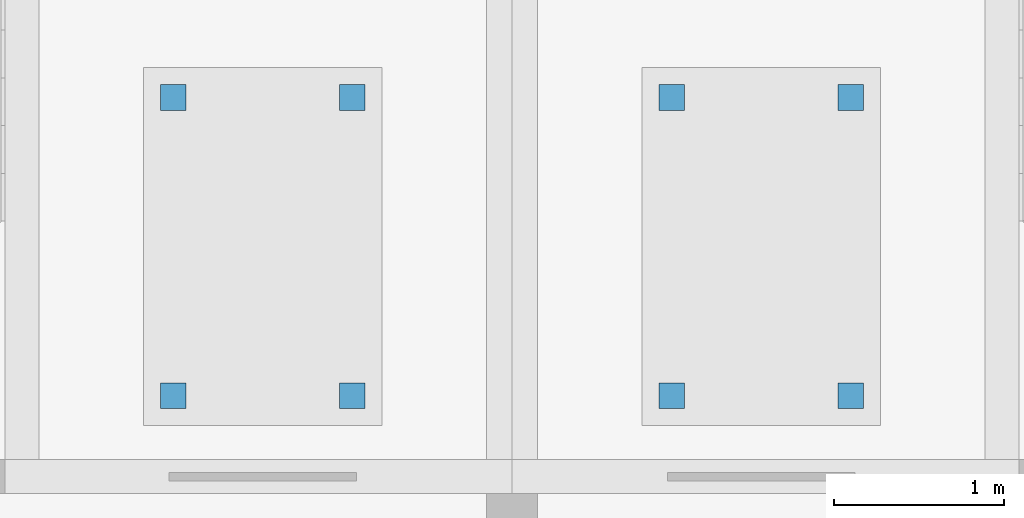
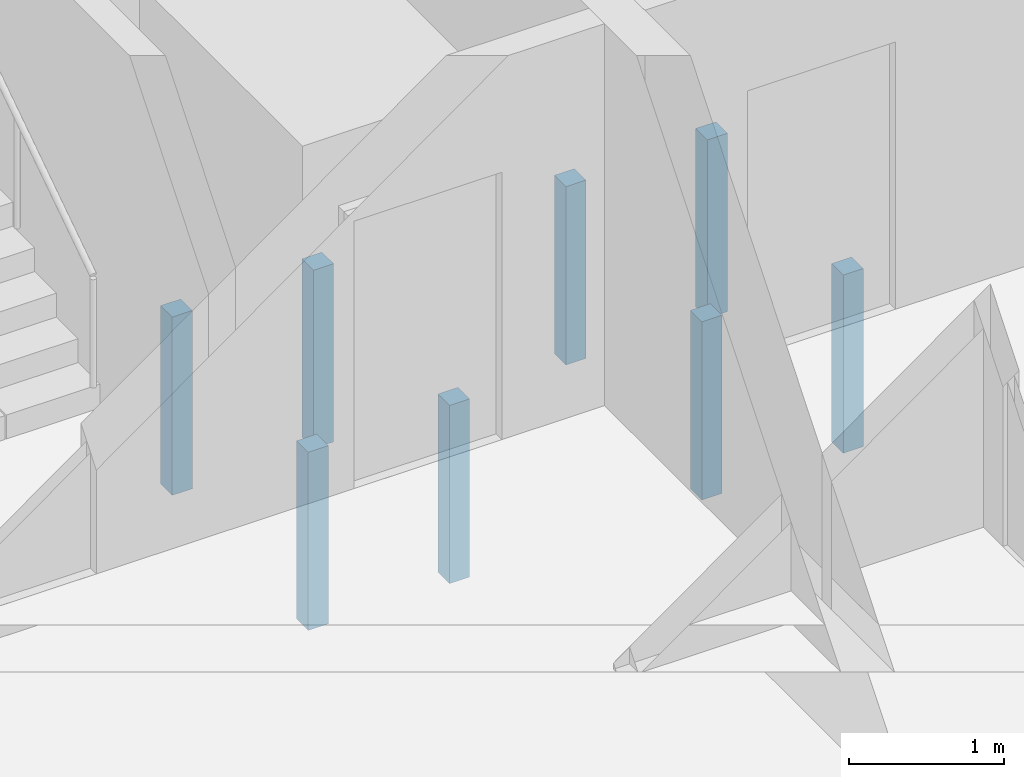
# One storey, part 76 of 112: 8 discrete accessories.
"""IFC4 building model written with IfcOpenShell, lengths in metres."""

from ifc_helpers import new_model, si_unit, direction, frame, origin, origin_2d, place, context, subcontext, project, spatial, rectangle, extrude, material, type_object, element, save


model = new_model("IFC4")

# Units and contexts
model_context = context("Model", 3, precision=1e-05, world=origin(), true_north=direction((0.0, 1.0)))
body_context = subcontext(model_context, "Body", "Model", "MODEL_VIEW")
ifc_project = project(units=[si_unit("LENGTHUNIT", "METRE"), si_unit("AREAUNIT", "SQUARE_METRE"), si_unit("VOLUMEUNIT", "CUBIC_METRE"), si_unit("PLANEANGLEUNIT", "RADIAN"), si_unit("MASSUNIT", "GRAM", prefix="KILO")], contexts=[model_context])

# Site, building, storey
site_placement = place(None, origin())
site = spatial("IfcSite", under=ifc_project, at=site_placement, CompositionType="ELEMENT")
building_placement = place(site_placement, origin())
building = spatial("IfcBuilding", under=site, at=building_placement, Name="Ridgestep Commons", CompositionType="ELEMENT")
storey_placement = place(building_placement, origin())
storey = spatial("IfcBuildingStorey", under=building, at=storey_placement, Name="L00", CompositionType="ELEMENT", Elevation=0.0)

# Discrete accessories
ifc_material = material(Name="Structural steel S355JR", Category="steel")
discrete_accessory_type = type_object("IfcDiscreteAccessoryType", Name="Lift buffer stand 150 x 150", PredefinedType="BRACKET", material=ifc_material)
for number, where, z_axis, x_axis, name in (
    (1, (94.012451171875, 18.324951171875, -1.39990234375), (0.0, 0.0, 1.0), (1.0, 0.0, 0.0), "Lift buffer stand A5C 1"),
    (2, (95.0625, 18.324951171875, -1.39990234375), (0.0, 0.0, 1.0), (1.0, 0.0, 0.0), "Lift buffer stand A5C 2"),
    (3, (94.012451171875, 20.074951171875, -1.39990234375), (0.0, 0.0, 1.0), (1.0, 0.0, 0.0), "Lift buffer stand A5C 3"),
    (4, (95.0625, 20.074951171875, -1.39990234375), (0.0, 0.0, 1.0), (1.0, 0.0, 0.0), "Lift buffer stand A5C 4"),
    (5, (96.9375, 18.324951171875, -1.39990234375), (0.0, 0.0, 1.0), (1.0, 0.0, 0.0), "Lift buffer stand A6C 1"),
    (6, (97.987548828125, 18.324951171875, -1.39990234375), (0.0, 0.0, 1.0), (1.0, 0.0, 0.0), "Lift buffer stand A6C 2"),
    (7, (96.9375, 20.074951171875, -1.39990234375), (0.0, 0.0, 1.0), (1.0, 0.0, 0.0), "Lift buffer stand A6C 3"),
    (8, (97.987548828125, 20.074951171875, -1.39990234375), (0.0, 0.0, 1.0), (1.0, 0.0, 0.0), "Lift buffer stand A6C 4"),
):
    element("IfcDiscreteAccessory", number, at=place(storey_placement, frame(where, z_axis=z_axis, x_axis=x_axis)), inside=storey, type_object=discrete_accessory_type, Name=name, PredefinedType="BRACKET", context=body_context, shape_type="SweptSolid", body=[
        extrude(rectangle(XDim=0.14990234375, YDim=0.14990234375, at=origin_2d()), origin(), (0.0, 0.0, 1.0), 1.39990234375),
    ])

save(model, "model.ifc")
